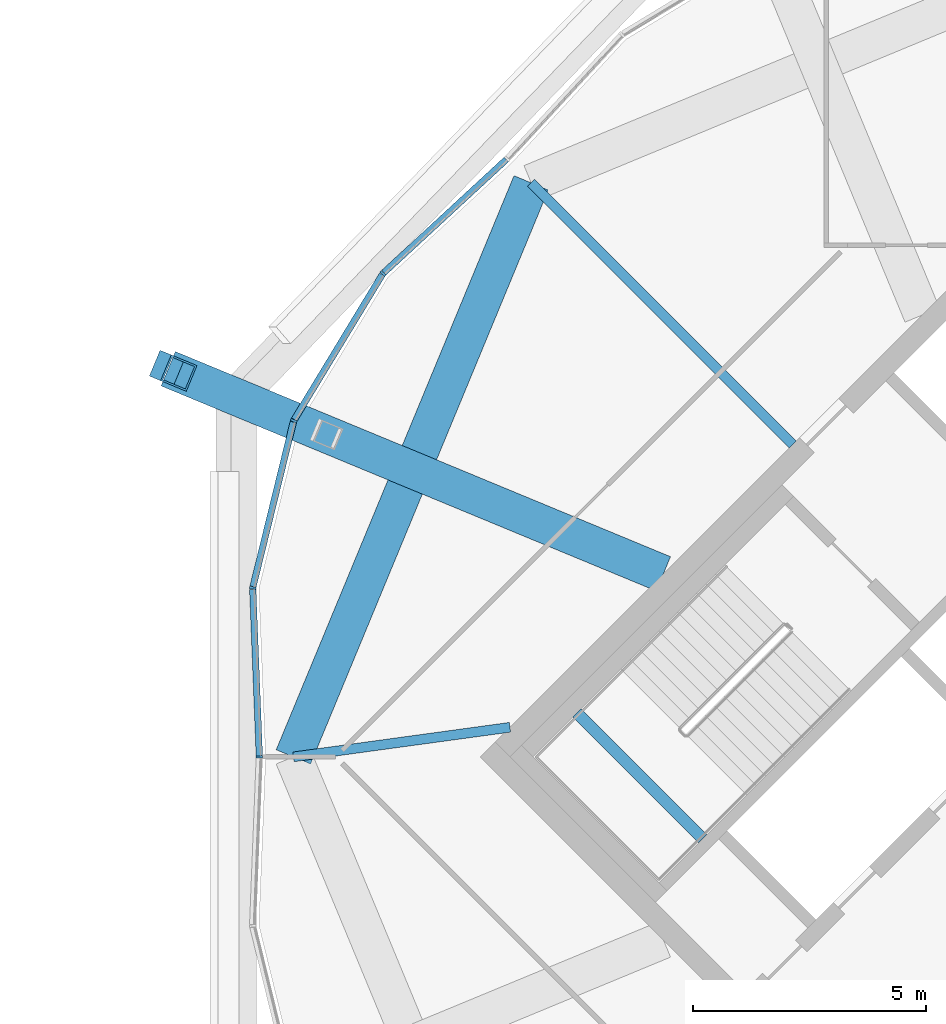
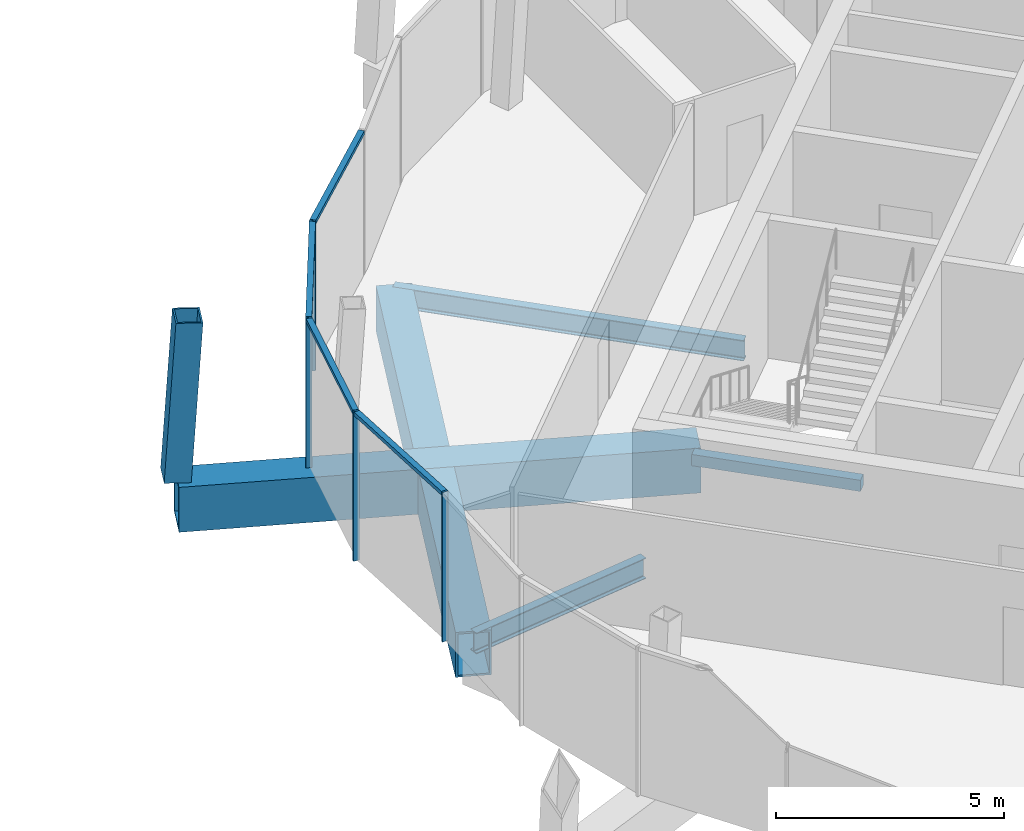
# One storey, part 18 of 34: 9 members, 5 beams, 1 element without a shape of its own.
"""IFC4 building model written with IfcOpenShell, lengths in metres."""

from ifc_helpers import new_model, si_unit, direction, frame, origin, origin_2d, place, context, subcontext, project, spatial, rectangle, hollow_rectangle, i_section, extrude, material, material_profile, profile_set, type_object, element, aggregate, save


model = new_model("IFC4")

# Units and contexts
model_context = context("Model", 3, precision=1e-05, world=origin(), true_north=direction((0.0, 1.0)))
body_context = subcontext(model_context, "Body", "Model", "MODEL_VIEW")
ifc_project = project(units=[si_unit("LENGTHUNIT", "METRE"), si_unit("AREAUNIT", "SQUARE_METRE"), si_unit("VOLUMEUNIT", "CUBIC_METRE"), si_unit("PLANEANGLEUNIT", "RADIAN"), si_unit("MASSUNIT", "GRAM", prefix="KILO")], contexts=[model_context])

# Site, building, storey
site_placement = place(None, origin())
site = spatial("IfcSite", under=ifc_project, at=site_placement, CompositionType="ELEMENT")
building_placement = place(site_placement, origin())
building = spatial("IfcBuilding", under=site, at=building_placement, Name="Ogive Gate Towers", CompositionType="ELEMENT")
storey_placement = place(building_placement, frame((0.0, 0.0, 294.0)))
storey = spatial("IfcBuildingStorey", under=building, at=storey_placement, Name="L69", CompositionType="ELEMENT", Elevation=294.0)

# Curtain wall, members
ifc_material_1 = material(Name="Pale metal aluminium", Category="aluminium")
curtain_wall_type = type_object("IfcCurtainWallType", Name="Crown lean wall", PredefinedType="NOTDEFINED", material=ifc_material_1)
curtain_wall_placement = place(storey_placement, origin())
curtain_wall = element("IfcCurtainWall", 1, at=curtain_wall_placement, inside=storey, type_object=curtain_wall_type, Name="CW5 T2 ECW04", PredefinedType="NOTDEFINED")
ifc_material_profile_1 = material_profile(ifc_material_1, rectangle(XDim=0.139892578125, YDim=0.050048828125, at=origin_2d()), Name="50 x 140 aluminium box")
ifc_profile_set_1 = profile_set([ifc_material_profile_1], Name="Pale metal aluminium")
member_type_1 = type_object("IfcMemberType", Name="Crown lean wall mullion 50 x 140", PredefinedType="MULLION", material=ifc_profile_set_1)
member_1_placement = place(storey_placement, frame((17.81494140625, -0.001220703125, -0.300048828125), z_axis=(0.0, 0.0, 1.0), x_axis=(0.999215271104, 0.039608610093, 0.0)))
member_1 = element("IfcMember", 2, at=member_1_placement, type_object=member_type_1, Name="CW5 mullion", PredefinedType="MULLION", context=body_context, shape_type="SweptSolid", body=[
    extrude(rectangle(XDim=0.139892578125, YDim=0.050048828125, at=origin_2d()), origin(), (0.0, 0.0, 1.0), 4.0),
])
member_2_placement = place(storey_placement, frame((17.671142578125, 3.633056640625, -0.300048828125), z_axis=(0.0, 0.0, 1.0), x_axis=(0.99497725752, -0.100101233848, 0.0)))
member_2 = element("IfcMember", 3, at=member_2_placement, type_object=member_type_1, Name="CW5 mullion", PredefinedType="MULLION", context=body_context, shape_type="SweptSolid", body=[
    extrude(rectangle(XDim=0.139892578125, YDim=0.050048828125, at=origin_2d()), origin(), (0.0, 0.0, 1.0), 4.0),
])
member_3_placement = place(storey_placement, frame((18.551513671875, 7.227294921875, -0.300048828125), z_axis=(0.0, 0.0, 1.0), x_axis=(0.923879532511, -0.382683432365, 0.0)))
member_3 = element("IfcMember", 4, at=member_3_placement, type_object=member_type_1, Name="CW5 mullion", PredefinedType="MULLION", context=body_context, shape_type="SweptSolid", body=[
    extrude(rectangle(XDim=0.139892578125, YDim=0.050048828125, at=origin_2d()), origin(), (0.0, 0.0, 1.0), 4.0),
])
member_4_placement = place(storey_placement, frame((20.470703125, 10.3916015625, -0.300048828125), z_axis=(0.0, 0.0, 1.0), x_axis=(0.77434847103, -0.632759389826, 0.0)))
member_4 = element("IfcMember", 5, at=member_4_placement, type_object=member_type_1, Name="CW5 mullion", PredefinedType="MULLION", context=body_context, shape_type="SweptSolid", body=[
    extrude(rectangle(XDim=0.139892578125, YDim=0.050048828125, at=origin_2d()), origin(), (0.0, 0.0, 1.0), 4.0),
])
ifc_material_profile_2 = material_profile(ifc_material_1, rectangle(XDim=0.139892578125, YDim=0.10009765625, at=origin_2d()), Name="100 x 140 aluminium box")
ifc_profile_set_2 = profile_set([ifc_material_profile_2], Name="Pale metal aluminium")
member_type_2 = type_object("IfcMemberType", Name="Crown lean wall transom 100 x 140", PredefinedType="USERDEFINED", material=ifc_profile_set_2)
member_5_placement = place(storey_placement, frame((17.81396484375, 0.023681640625, 3.64990234375), z_axis=(-0.039589778104, 0.99921601742, 0.0), x_axis=(-0.99921601742, -0.039589778104, 0.0)))
member_5 = element("IfcMember", 6, at=member_5_placement, type_object=member_type_2, Name="CW5 transom", ObjectType="TRANSOM", PredefinedType="USERDEFINED", context=body_context, shape_type="SweptSolid", body=[
    extrude(rectangle(XDim=0.139892578125, YDim=0.10009765625, at=origin_2d()), origin(), (0.0, 0.0, 1.0), 3.5830078125),
])
member_6_placement = place(storey_placement, frame((17.677734375, 3.661376953125, 3.64990234375), z_axis=(0.237911321475, 0.971286879925, 0.0), x_axis=(-0.971286879925, 0.237911321475, 0.0)))
member_6 = element("IfcMember", 7, at=member_6_placement, type_object=member_type_2, Name="CW5 transom", ObjectType="TRANSOM", PredefinedType="USERDEFINED", context=body_context, shape_type="SweptSolid", body=[
    extrude(rectangle(XDim=0.139892578125, YDim=0.10009765625, at=origin_2d()), origin(), (0.0, 0.0, 1.0), 3.641845703125),
])
member_7_placement = place(storey_placement, frame((18.56640625, 7.252685546875, 3.64990234375), z_axis=(0.518629997302, 0.854998787074, 0.0), x_axis=(-0.854998787074, 0.518629997302, 0.0)))
member_7 = element("IfcMember", 8, at=member_7_placement, type_object=member_type_2, Name="CW5 transom", ObjectType="TRANSOM", PredefinedType="USERDEFINED", context=body_context, shape_type="SweptSolid", body=[
    extrude(rectangle(XDim=0.139892578125, YDim=0.10009765625, at=origin_2d()), origin(), (0.0, 0.0, 1.0), 3.64208984375),
])
member_8_placement = place(storey_placement, frame((20.491943359375, 10.41162109375, 3.64990234375), z_axis=(0.734557828346, 0.678546090414, 0.0), x_axis=(-0.678546090414, 0.734557828346, 0.0)))
member_8 = element("IfcMember", 9, at=member_8_placement, type_object=member_type_2, Name="CW5 transom", ObjectType="TRANSOM", PredefinedType="USERDEFINED", context=body_context, shape_type="SweptSolid", body=[
    extrude(rectangle(XDim=0.139892578125, YDim=0.10009765625, at=origin_2d()), origin(), (0.0, 0.0, 1.0), 3.582763671875),
])
aggregate(curtain_wall, [member_1, member_2, member_5, member_3, member_6, member_4, member_7, member_8])

# Member
ifc_material_2 = material(Name="Steel SM460", Category="steel")
ifc_material_profile_3 = material_profile(ifc_material_2, hollow_rectangle(XDim=0.60009765625, YDim=0.60009765625, WallThickness=0.0400390625, at=origin_2d()), Name="BX 600x600x40")
ifc_profile_set_3 = profile_set([ifc_material_profile_3], Name="Steel SM460")
member_type_3 = type_object("IfcMemberType", Name="Crown rib BX 600x600x40", PredefinedType="MEMBER", material=ifc_profile_set_3)
member_9_placement = place(storey_placement, frame((15.840576171875, 8.350341796875, -0.25), z_axis=(0.056420201971, -0.023393742281, 0.998133003979), x_axis=(0.3830150227, 0.923742113572, 0.0)))
element("IfcMember", 10, at=member_9_placement, inside=storey, type_object=member_type_3, Name="T2/L69/STR004", PredefinedType="MEMBER", context=body_context, shape_type="SweptSolid", body=[
    extrude(hollow_rectangle(XDim=0.60009765625, YDim=0.60009765625, WallThickness=0.0400390625, at=origin_2d()), origin(), (0.0, 0.0, 1.0), 4.258056640625),
])

# Beams
ifc_material_profile_4 = material_profile(ifc_material_2, hollow_rectangle(XDim=0.800048828125, YDim=1.199951171875, WallThickness=0.050048828125, at=origin_2d()), Name="BX 1200x800x50")
ifc_profile_set_4 = profile_set([ifc_material_profile_4], Name="Steel SM460")
beam_type_1 = type_object("IfcBeamType", Name="Edge girder BX 1200x800x50", PredefinedType="BEAM", material=ifc_profile_set_4)
beam_1_placement = place(storey_placement, frame((23.657470703125, 12.342529296875, -0.89990234375), z_axis=(-0.382690191996, -0.923876732551, 0.0), x_axis=(0.923876732551, -0.382690191996, 0.0)))
element("IfcBeam", 11, at=beam_1_placement, inside=storey, type_object=beam_type_1, Name="T2/L69/SBM031", PredefinedType="BEAM", context=body_context, shape_type="SweptSolid", body=[
    extrude(hollow_rectangle(XDim=0.800048828125, YDim=1.199951171875, WallThickness=0.050048828125, at=origin_2d()), origin(), (0.0, 0.0, 1.0), 13.359619140625),
])
ifc_material_3 = material(Name="Concrete C40/50", Category="concrete")
ifc_material_profile_5 = material_profile(ifc_material_3, rectangle(XDim=0.25, YDim=0.300048828125, at=origin_2d()), Name="RC 250x300")
ifc_profile_set_5 = profile_set([ifc_material_profile_5], Name="Concrete C40/50")
beam_type_2 = type_object("IfcBeamType", Name="Landing bearer RC 250x300", PredefinedType="BEAM", material=ifc_profile_set_5)
beam_2_placement = place(storey_placement, frame((24.64111328125, 0.94482421875, 1.64990234375), z_axis=(0.707138693938, -0.707074866995, 0.0), x_axis=(0.707074866995, 0.707138693938, 0.0)))
element("IfcBeam", 12, at=beam_2_placement, inside=storey, type_object=beam_type_2, Name="T2 L69 stair 1 landing bearer 1", PredefinedType="BEAM", context=body_context, shape_type="SweptSolid", body=[
    extrude(rectangle(XDim=0.25, YDim=0.300048828125, at=origin_2d()), origin(), (0.0, 0.0, 1.0), 3.824951171875),
])
ifc_material_4 = material(Name="Steel SM355", Category="steel")
ifc_material_profile_6 = material_profile(ifc_material_4, i_section(OverallWidth=0.2099609375, OverallDepth=0.550048828125, WebThickness=0.010986328125, FlangeThickness=0.01708984375, FilletRadius=0.02392578125, at=origin_2d()), Name="IPE 550")
ifc_profile_set_6 = profile_set([ifc_material_profile_6], Name="Steel SM355")
beam_type_3 = type_object("IfcBeamType", Name="Radial floor beam IPE 550", PredefinedType="BEAM", material=ifc_profile_set_6)
beam_3_placement = place(storey_placement, frame((29.282470703125, 6.717529296875, -0.574951171875), z_axis=(-0.707106781187, 0.707106781187, 0.0), x_axis=(-0.707106781187, -0.707106781187, 0.0)))
element("IfcBeam", 13, at=beam_3_placement, inside=storey, type_object=beam_type_3, Name="T2/L69/SBM021", PredefinedType="BEAM", context=body_context, shape_type="SweptSolid", body=[
    extrude(i_section(OverallWidth=0.2099609375, OverallDepth=0.550048828125, WebThickness=0.010986328125, FlangeThickness=0.01708984375, FilletRadius=0.02392578125, at=origin_2d()), origin(), (0.0, 0.0, 1.0), 7.954833984375),
])
beam_4_placement = place(storey_placement, frame((23.201416015625, 0.636474609375, -0.574951171875), z_axis=(-0.99078744401, -0.135426145155, 0.0), x_axis=(0.135426145155, -0.99078744401, 0.0)))
element("IfcBeam", 14, at=beam_4_placement, inside=storey, type_object=beam_type_3, Name="T2/L69/SBM023", PredefinedType="BEAM", context=body_context, shape_type="SweptSolid", body=[
    extrude(i_section(OverallWidth=0.2099609375, OverallDepth=0.550048828125, WebThickness=0.010986328125, FlangeThickness=0.01708984375, FilletRadius=0.02392578125, at=origin_2d()), origin(), (0.0, 0.0, 1.0), 4.69970703125),
])
ifc_material_profile_7 = material_profile(ifc_material_2, hollow_rectangle(XDim=0.800048828125, YDim=1.199951171875, WallThickness=0.050048828125, at=origin_2d()), Name="BX 1200x800x50")
ifc_profile_set_7 = profile_set([ifc_material_profile_7], Name="Steel SM460")
beam_type_4 = type_object("IfcBeamType", Name="Transfer radial beam BX 1200x800x50", PredefinedType="BEAM", material=ifc_profile_set_7)
beam_5_placement = place(storey_placement, frame((26.5, 3.93505859375, -0.89990234375), z_axis=(-0.923879187615, 0.382684265017, 0.0), x_axis=(-0.382684265017, -0.923879187615, 0.0)))
element("IfcBeam", 15, at=beam_5_placement, inside=storey, type_object=beam_type_4, Name="T2/L69/SBM022", PredefinedType="BEAM", context=body_context, shape_type="SweptSolid", body=[
    extrude(hollow_rectangle(XDim=0.800048828125, YDim=1.199951171875, WallThickness=0.050048828125, at=origin_2d()), origin(), (0.0, 0.0, 1.0), 11.5224609375),
])

save(model, "model.ifc")
